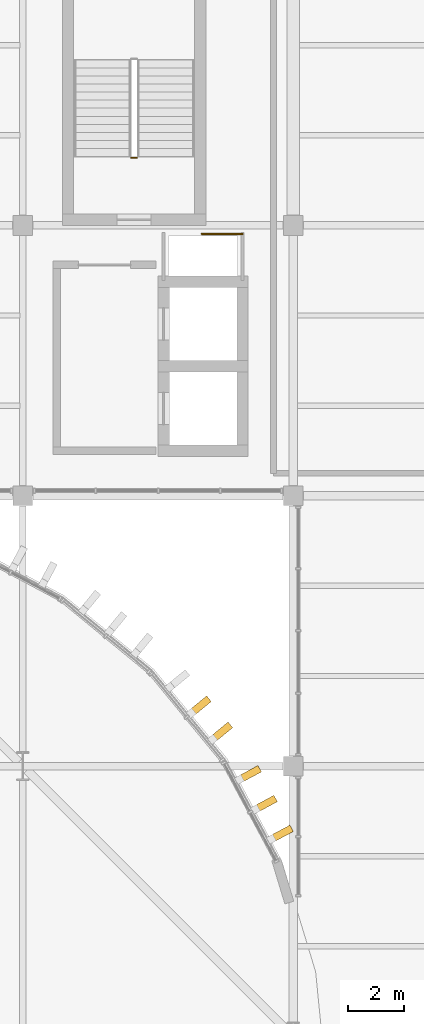
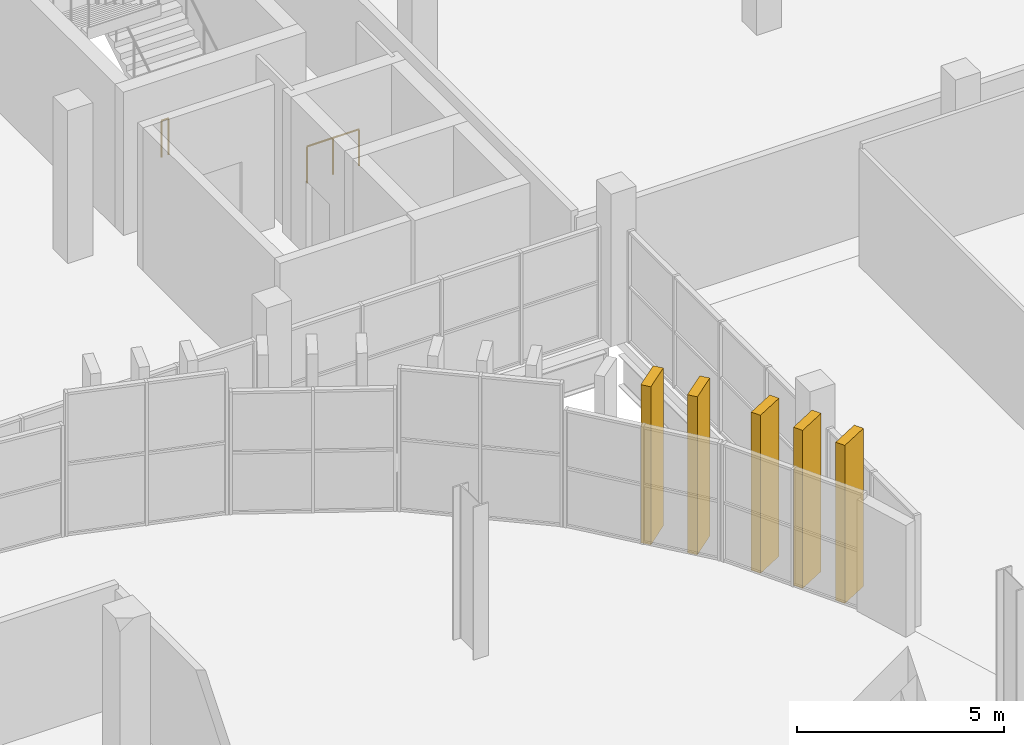
# One storey, part 89 of 92: 5 coverings, 2 railings.
"""IFC4 building model written with IfcOpenShell, lengths in metres."""

from ifc_helpers import new_model, si_unit, direction, frame, origin, origin_2d, place, context, subcontext, project, spatial, rectangle, circle, extrude, material, material_profile, profile_set, type_object, element, save


model = new_model("IFC4")

# Units and contexts
model_context = context("Model", 3, precision=1e-05, world=origin(), true_north=direction((0.0, 1.0)))
body_context = subcontext(model_context, "Body", "Model", "MODEL_VIEW")
ifc_project = project(units=[si_unit("LENGTHUNIT", "METRE"), si_unit("AREAUNIT", "SQUARE_METRE"), si_unit("VOLUMEUNIT", "CUBIC_METRE"), si_unit("PLANEANGLEUNIT", "RADIAN"), si_unit("MASSUNIT", "GRAM", prefix="KILO")], contexts=[model_context])

# Site, building, storey
site_placement = place(None, origin())
site = spatial("IfcSite", under=ifc_project, at=site_placement, CompositionType="ELEMENT")
building_placement = place(site_placement, origin())
building = spatial("IfcBuilding", under=site, at=building_placement, Name="Caelomonte Colonnade Arena", CompositionType="ELEMENT")
storey_placement = place(building_placement, frame((0.0, 0.0, 9.60009765625)))
storey = spatial("IfcBuildingStorey", under=building, at=storey_placement, Name="L02", CompositionType="ELEMENT", Elevation=9.60009765625)

# Coverings
ifc_material_1 = material(Name="Precast travertine cladding", Category="masonry")
ifc_material_profile = material_profile(ifc_material_1, rectangle(XDim=0.260009765625, YDim=0.85009765625, at=origin_2d()), Name="FIN260X850")
ifc_profile_set = profile_set([ifc_material_profile], Name="Precast travertine cladding")
covering_type = type_object("IfcCoveringType", Name="ENV-FN-SHAFT", PredefinedType="CLADDING", material=ifc_profile_set)
for number, where, z_axis, x_axis, name in (
    (1, (162.768310546875, 103.19189453125, -0.16015625), (0.0, 0.0, 1.0), (0.471396736826, -0.881921264348, 0.0), "V1 L02 classical travertine vertical fin 75"),
    (2, (162.202392578125, 104.250244140625, -0.16015625), (0.0, 0.0, 1.0), (0.471396736826, -0.881921264348, 0.0), "V1 L02 classical travertine vertical fin 76"),
    (3, (161.63671875, 105.30859375, -0.16015625), (0.0, 0.0, 1.0), (0.471396736826, -0.881921264348, 0.0), "V1 L02 classical travertine vertical fin 77"),
    (4, (160.641845703125, 106.797607421875, -0.16015625), (0.0, 0.0, 1.0), (0.634413521313, -0.77299384472, 0.0), "V1 L02 classical travertine vertical fin 78"),
    (5, (159.880615234375, 107.72509765625, -0.16015625), (0.0, 0.0, 1.0), (0.634413521313, -0.77299384472, 0.0), "V1 L02 classical travertine vertical fin 79"),
):
    element("IfcCovering", number, at=place(storey_placement, frame(where, z_axis=z_axis, x_axis=x_axis)), inside=storey, type_object=covering_type, Name=name, PredefinedType="CLADDING", context=body_context, shape_type="SweptSolid", body=[
        extrude(rectangle(XDim=0.260009765625, YDim=0.85009765625, at=origin_2d()), origin(), (0.0, 0.0, 1.0), 4.66015625),
    ])

# Railings
ifc_material_2 = material(Name="Painted galvanized steel stair guard", Category="steel")
railing_type = type_object("IfcRailingType", Name="INT-RL-GRD", PredefinedType="GUARDRAIL", material=ifc_material_2)
railing_1_placement = place(storey_placement, frame((157.64990234375, 127.199951171875, 0.0)))
element("IfcRailing", 6, at=railing_1_placement, inside=storey, type_object=railing_type, Name="L02 ST-06 stair guard 4", PredefinedType="GUARDRAIL", context=body_context, shape_type="SweptSolid", body=[
    extrude(circle(Radius=0.02392578125, at=origin_2d()), frame((0.0, 0.0, 1.076171875), z_axis=(-1.0, 0.0, 0.0), x_axis=(0.0, -1.0, 0.0)), (0.0, 0.0, 1.0), 0.199951171875),
    extrude(circle(Radius=0.02099609375, at=origin_2d()), origin(), (0.0, 0.0, 1.0), 1.048095703125),
    extrude(circle(Radius=0.02099609375, at=origin_2d()), frame((-0.199951171875, 0.0, 0.0)), (0.0, 0.0, 1.0), 1.048095703125),
])
railing_2_placement = place(storey_placement, frame((159.949951171875, 124.5, 0.0)))
element("IfcRailing", 7, at=railing_2_placement, inside=storey, type_object=railing_type, Name="Core C6 L02 riser opening guard", PredefinedType="GUARDRAIL", context=body_context, shape_type="SweptSolid", body=[
    extrude(circle(Radius=0.02392578125, at=origin_2d()), frame((0.0, 0.0, 1.076171875), z_axis=(1.0, 0.0, 0.0), x_axis=(0.0, 1.0, 0.0)), (0.0, 0.0, 1.0), 1.449951171875),
    extrude(circle(Radius=0.02099609375, at=origin_2d()), origin(), (0.0, 0.0, 1.0), 1.048095703125),
    extrude(circle(Radius=0.02099609375, at=origin_2d()), frame((0.72509765625, 0.0, 0.0)), (0.0, 0.0, 1.0), 1.048095703125),
    extrude(circle(Radius=0.02099609375, at=origin_2d()), frame((1.449951171875, 0.0, 0.0)), (0.0, 0.0, 1.0), 1.048095703125),
])

save(model, "model.ifc")
